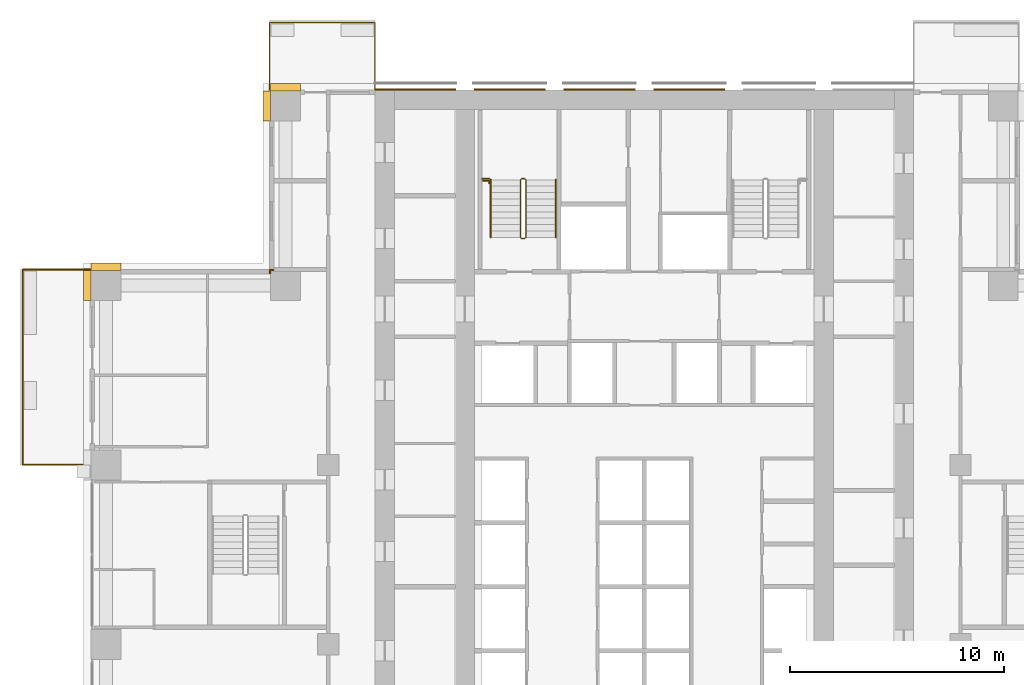
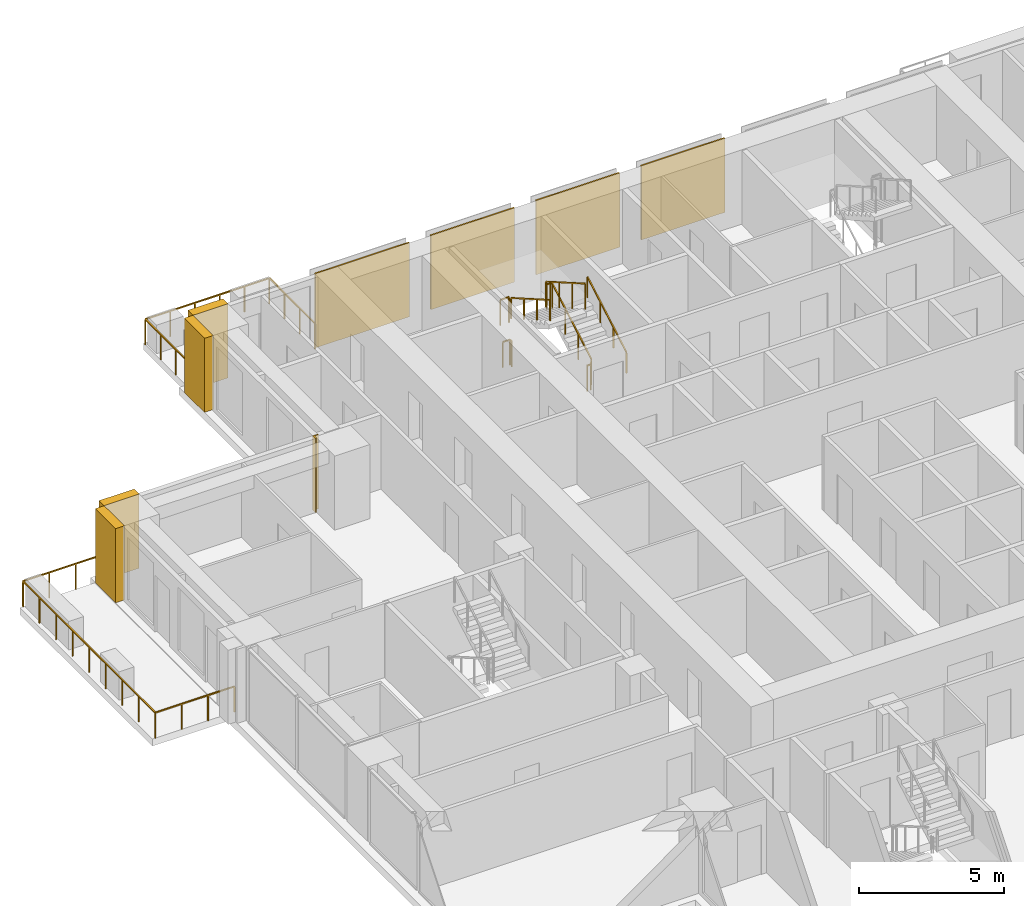
# One storey, part 15 of 16: 9 coverings, 7 railings.
"""IFC4 building model written with IfcOpenShell, lengths in metres."""

from ifc_helpers import new_model, si_unit, direction, frame, origin, origin_2d, place, context, subcontext, project, spatial, polyline, rectangle, outline, extrude, material, type_object, element, save


model = new_model("IFC4")

# Units and contexts
model_context = context("Model", 3, precision=1e-05, world=origin(), true_north=direction((0.0, 1.0)))
body_context = subcontext(model_context, "Body", "Model", "MODEL_VIEW")
ifc_project = project(units=[si_unit("LENGTHUNIT", "METRE"), si_unit("AREAUNIT", "SQUARE_METRE"), si_unit("VOLUMEUNIT", "CUBIC_METRE"), si_unit("PLANEANGLEUNIT", "RADIAN"), si_unit("MASSUNIT", "GRAM", prefix="KILO")], contexts=[model_context])

# Site, building, storey
site_placement = place(None, origin())
site = spatial("IfcSite", under=ifc_project, at=site_placement, CompositionType="ELEMENT")
building_placement = place(site_placement, origin())
building = spatial("IfcBuilding", under=site, at=building_placement, Name="Vermilion Ogive Tower", CompositionType="ELEMENT")
storey_placement = place(building_placement, frame((0.0, 0.0, 44.85009765625)))
storey = spatial("IfcBuildingStorey", under=building, at=storey_placement, Name="L09", CompositionType="ELEMENT", Elevation=44.85009765625)

# Railings
ifc_material_1 = material(Name="Stainless steel and glass", Category="steel")
railing_type_1 = type_object("IfcRailingType", Name="Balcony guard", PredefinedType="GUARDRAIL", material=ifc_material_1)
railing_1_placement = place(storey_placement, frame((-12.60009765625, 21.75, -0.0400390625)))
element("IfcRailing", 1, at=railing_1_placement, inside=storey, type_object=railing_type_1, Name="Guard N201", PredefinedType="GUARDRAIL", context=body_context, shape_type="SweptSolid", body=[
    extrude(rectangle(XDim=0.048095703125, YDim=0.048095703125, at=origin_2d()), frame((0.0, 0.0, 1.076171875), z_axis=(0.0, 1.0, 0.0), x_axis=(-1.0, 0.0, 0.0)), (0.0, 0.0, 1.0), 3.159912109375),
    extrude(rectangle(XDim=0.048095703125, YDim=0.048095703125, at=origin_2d()), frame((0.0, 3.159912109375, 1.076171875), z_axis=(-1.0, 0.0, 0.0), x_axis=(0.0, -1.0, 0.0)), (0.0, 0.0, 1.0), 4.949951171875),
    extrude(rectangle(XDim=0.048095703125, YDim=0.048095703125, at=origin_2d()), frame((-4.949951171875, 3.159912109375, 1.076171875), z_axis=(0.0, -1.0, 0.0), x_axis=(1.0, 0.0, 0.0)), (0.0, 0.0, 1.0), 3.159912109375),
    extrude(rectangle(XDim=0.0419921875, YDim=0.0419921875, at=origin_2d()), origin(), (0.0, 0.0, 1.0), 1.052001953125),
    extrude(rectangle(XDim=0.0419921875, YDim=0.0419921875, at=origin_2d()), frame((0.0, 1.05322265625, 0.0)), (0.0, 0.0, 1.0), 1.052001953125),
    extrude(rectangle(XDim=0.0419921875, YDim=0.0419921875, at=origin_2d()), frame((0.0, 2.106689453125, 0.0)), (0.0, 0.0, 1.0), 1.052001953125),
    extrude(rectangle(XDim=0.0419921875, YDim=0.0419921875, at=origin_2d()), frame((0.0, 3.159912109375, 0.0)), (0.0, 0.0, 1.0), 1.052001953125),
    extrude(rectangle(XDim=0.0419921875, YDim=0.0419921875, at=origin_2d()), frame((-0.989990234375, 3.159912109375, 0.0)), (0.0, 0.0, 1.0), 1.052001953125),
    extrude(rectangle(XDim=0.0419921875, YDim=0.0419921875, at=origin_2d()), frame((-1.97998046875, 3.159912109375, 0.0)), (0.0, 0.0, 1.0), 1.052001953125),
    extrude(rectangle(XDim=0.0419921875, YDim=0.0419921875, at=origin_2d()), frame((-2.969970703125, 3.159912109375, 0.0)), (0.0, 0.0, 1.0), 1.052001953125),
    extrude(rectangle(XDim=0.0419921875, YDim=0.0419921875, at=origin_2d()), frame((-3.9599609375, 3.159912109375, 0.0)), (0.0, 0.0, 1.0), 1.052001953125),
    extrude(rectangle(XDim=0.0419921875, YDim=0.0419921875, at=origin_2d()), frame((-4.949951171875, 3.159912109375, 0.0)), (0.0, 0.0, 1.0), 1.052001953125),
    extrude(rectangle(XDim=0.0419921875, YDim=0.0419921875, at=origin_2d()), frame((-4.949951171875, 2.106689453125, 0.0)), (0.0, 0.0, 1.0), 1.052001953125),
    extrude(rectangle(XDim=0.0419921875, YDim=0.0419921875, at=origin_2d()), frame((-4.949951171875, 1.05322265625, 0.0)), (0.0, 0.0, 1.0), 1.052001953125),
    extrude(rectangle(XDim=0.0419921875, YDim=0.0419921875, at=origin_2d()), frame((-4.949951171875, 0.0, 0.0)), (0.0, 0.0, 1.0), 1.052001953125),
])
railing_2_placement = place(storey_placement, frame((-25.949951171875, 13.35009765625, -0.0400390625)))
element("IfcRailing", 2, at=railing_2_placement, inside=storey, type_object=railing_type_1, Name="Guard W01", PredefinedType="GUARDRAIL", context=body_context, shape_type="SweptSolid", body=[
    extrude(rectangle(XDim=0.048095703125, YDim=0.048095703125, at=origin_2d()), frame((0.0, 0.0, 1.076171875), z_axis=(-1.0, 0.0, 0.0), x_axis=(0.0, -1.0, 0.0)), (0.0, 0.0, 1.0), 3.16015625),
    extrude(rectangle(XDim=0.048095703125, YDim=0.048095703125, at=origin_2d()), frame((-3.16015625, 0.0, 1.076171875), z_axis=(0.0, -1.0, 0.0), x_axis=(1.0, 0.0, 0.0)), (0.0, 0.0, 1.0), 9.150146484375),
    extrude(rectangle(XDim=0.048095703125, YDim=0.048095703125, at=origin_2d()), frame((-3.16015625, -9.150146484375, 1.076171875), z_axis=(1.0, 0.0, 0.0), x_axis=(0.0, 1.0, 0.0)), (0.0, 0.0, 1.0), 3.16015625),
    extrude(rectangle(XDim=0.0419921875, YDim=0.0419921875, at=origin_2d()), origin(), (0.0, 0.0, 1.0), 1.052001953125),
    extrude(rectangle(XDim=0.0419921875, YDim=0.0419921875, at=origin_2d()), frame((-1.053466796875, 0.0, 0.0)), (0.0, 0.0, 1.0), 1.052001953125),
    extrude(rectangle(XDim=0.0419921875, YDim=0.0419921875, at=origin_2d()), frame((-2.106689453125, 0.0, 0.0)), (0.0, 0.0, 1.0), 1.052001953125),
    extrude(rectangle(XDim=0.0419921875, YDim=0.0419921875, at=origin_2d()), frame((-3.16015625, 0.0, 0.0)), (0.0, 0.0, 1.0), 1.052001953125),
    extrude(rectangle(XDim=0.0419921875, YDim=0.0419921875, at=origin_2d()), frame((-3.16015625, -1.143798828125, 0.0)), (0.0, 0.0, 1.0), 1.052001953125),
    extrude(rectangle(XDim=0.0419921875, YDim=0.0419921875, at=origin_2d()), frame((-3.16015625, -2.28759765625, 0.0)), (0.0, 0.0, 1.0), 1.052001953125),
    extrude(rectangle(XDim=0.0419921875, YDim=0.0419921875, at=origin_2d()), frame((-3.16015625, -3.431396484375, 0.0)), (0.0, 0.0, 1.0), 1.052001953125),
    extrude(rectangle(XDim=0.0419921875, YDim=0.0419921875, at=origin_2d()), frame((-3.16015625, -4.5751953125, 0.0)), (0.0, 0.0, 1.0), 1.052001953125),
    extrude(rectangle(XDim=0.0419921875, YDim=0.0419921875, at=origin_2d()), frame((-3.16015625, -5.71875, 0.0)), (0.0, 0.0, 1.0), 1.052001953125),
    extrude(rectangle(XDim=0.0419921875, YDim=0.0419921875, at=origin_2d()), frame((-3.16015625, -6.862548828125, 0.0)), (0.0, 0.0, 1.0), 1.052001953125),
    extrude(rectangle(XDim=0.0419921875, YDim=0.0419921875, at=origin_2d()), frame((-3.16015625, -8.00634765625, 0.0)), (0.0, 0.0, 1.0), 1.052001953125),
    extrude(rectangle(XDim=0.0419921875, YDim=0.0419921875, at=origin_2d()), frame((-3.16015625, -9.150146484375, 0.0)), (0.0, 0.0, 1.0), 1.052001953125),
    extrude(rectangle(XDim=0.0419921875, YDim=0.0419921875, at=origin_2d()), frame((-2.106689453125, -9.150146484375, 0.0)), (0.0, 0.0, 1.0), 1.052001953125),
    extrude(rectangle(XDim=0.0419921875, YDim=0.0419921875, at=origin_2d()), frame((-1.053466796875, -9.150146484375, 0.0)), (0.0, 0.0, 1.0), 1.052001953125),
    extrude(rectangle(XDim=0.0419921875, YDim=0.0419921875, at=origin_2d()), frame((0.0, -9.150146484375, 0.0)), (0.0, 0.0, 1.0), 1.052001953125),
])
ifc_material_2 = material(Name="Steel S355 painted", Category="steel")
railing_type_2 = type_object("IfcRailingType", Name="Stair guard 1100", PredefinedType="GUARDRAIL", material=ifc_material_2)
railing_3_placement = place(storey_placement, frame((-5.75, 14.800048828125, 0.0)))
element("IfcRailing", 3, at=railing_3_placement, inside=storey, type_object=railing_type_2, Name="L09 ST1 stair guard 4", PredefinedType="GUARDRAIL", context=body_context, shape_type="SweptSolid", body=[
    extrude(rectangle(XDim=0.048095703125, YDim=0.048095703125, at=origin_2d()), frame((0.0, 0.0, 1.076171875), z_axis=(1.0, 0.0, 0.0), x_axis=(0.0, 1.0, 0.0)), (0.0, 0.0, 1.0), 0.14990234375),
    extrude(rectangle(XDim=0.048095703125, YDim=0.048095703125, at=origin_2d()), frame((0.14990234375, 0.0, 1.076171875), z_axis=(0.268603158521, 0.268603158521, 0.925043072762), x_axis=(-0.707106781187, 0.707106781187, 0.0)), (0.0, 0.0, 1.0), 0.186279296875),
    extrude(rectangle(XDim=0.048095703125, YDim=0.048095703125, at=origin_2d()), frame((0.199951171875, 0.050048828125, 1.24853515625), z_axis=(0.0, 0.866903762492, 0.498475542607), x_axis=(-1.0, 0.0, 0.0)), (0.0, 0.0, 1.0), 3.114501953125),
    extrude(rectangle(XDim=0.048095703125, YDim=0.048095703125, at=origin_2d()), frame((0.199951171875, 2.75, 2.80078125), z_axis=(-0.707106781187, 0.707106781187, 0.0), x_axis=(-0.707106781187, -0.707106781187, 0.0)), (0.0, 0.0, 1.0), 0.07080078125),
    extrude(rectangle(XDim=0.048095703125, YDim=0.048095703125, at=origin_2d()), frame((0.14990234375, 2.800048828125, 2.80078125), z_axis=(-1.0, 0.0, 0.0), x_axis=(0.0, -1.0, 0.0)), (0.0, 0.0, 1.0), 0.14990234375),
    extrude(rectangle(XDim=0.048095703125, YDim=0.048095703125, at=origin_2d()), frame((0.0, 2.800048828125, 2.80078125), z_axis=(-0.268277960024, -0.268277960024, 0.925231793839), x_axis=(0.707106781187, -0.707106781187, 0.0)), (0.0, 0.0, 1.0), 0.1865234375),
    extrude(rectangle(XDim=0.048095703125, YDim=0.048095703125, at=origin_2d()), frame((-0.050048828125, 2.75, 2.9736328125), z_axis=(0.0, -0.866903762492, 0.498475542607), x_axis=(1.0, 0.0, 0.0)), (0.0, 0.0, 1.0), 3.114501953125),
    extrude(rectangle(XDim=0.0419921875, YDim=0.0419921875, at=origin_2d()), origin(), (0.0, 0.0, 1.0), 1.052001953125),
    extrude(rectangle(XDim=0.0419921875, YDim=0.0419921875, at=origin_2d()), frame((0.14990234375, 0.0, 0.0)), (0.0, 0.0, 1.0), 1.052001953125),
    extrude(rectangle(XDim=0.0419921875, YDim=0.0419921875, at=origin_2d()), frame((0.199951171875, 0.050048828125, 0.17236328125)), (0.0, 0.0, 1.0), 1.052001953125),
    extrude(rectangle(XDim=0.0419921875, YDim=0.0419921875, at=origin_2d()), frame((0.199951171875, 0.949951171875, 0.68994140625)), (0.0, 0.0, 1.0), 1.052001953125),
    extrude(rectangle(XDim=0.0419921875, YDim=0.0419921875, at=origin_2d()), frame((0.199951171875, 1.85009765625, 1.207275390625)), (0.0, 0.0, 1.0), 1.052001953125),
    extrude(rectangle(XDim=0.0419921875, YDim=0.0419921875, at=origin_2d()), frame((0.199951171875, 2.75, 1.724853515625)), (0.0, 0.0, 1.0), 1.052001953125),
    extrude(rectangle(XDim=0.0419921875, YDim=0.0419921875, at=origin_2d()), frame((0.14990234375, 2.800048828125, 1.724853515625)), (0.0, 0.0, 1.0), 1.052001953125),
    extrude(rectangle(XDim=0.0419921875, YDim=0.0419921875, at=origin_2d()), frame((0.0, 2.800048828125, 1.724853515625)), (0.0, 0.0, 1.0), 1.052001953125),
    extrude(rectangle(XDim=0.0419921875, YDim=0.0419921875, at=origin_2d()), frame((-0.050048828125, 2.75, 1.8974609375)), (0.0, 0.0, 1.0), 1.052001953125),
    extrude(rectangle(XDim=0.0419921875, YDim=0.0419921875, at=origin_2d()), frame((-0.050048828125, 1.85009765625, 2.4150390625)), (0.0, 0.0, 1.0), 1.052001953125),
    extrude(rectangle(XDim=0.0419921875, YDim=0.0419921875, at=origin_2d()), frame((-0.050048828125, 0.949951171875, 2.932373046875)), (0.0, 0.0, 1.0), 1.052001953125),
    extrude(rectangle(XDim=0.0419921875, YDim=0.0419921875, at=origin_2d()), frame((-0.050048828125, 0.050048828125, 3.449951171875)), (0.0, 0.0, 1.0), 1.052001953125),
])
railing_4_placement = place(storey_placement, frame((-7.60009765625, 17.60009765625, 1.724853515625)))
element("IfcRailing", 4, at=railing_4_placement, inside=storey, type_object=railing_type_2, Name="L09 landing guard", PredefinedType="GUARDRAIL", context=body_context, shape_type="SweptSolid", body=[
    extrude(rectangle(XDim=0.048095703125, YDim=0.048095703125, at=origin_2d()), frame((0.0, 0.0, 1.076171875), z_axis=(1.0, 0.0, 0.0), x_axis=(0.0, 1.0, 0.0)), (0.0, 0.0, 1.0), 0.35009765625),
    extrude(rectangle(XDim=0.0419921875, YDim=0.0419921875, at=origin_2d()), origin(), (0.0, 0.0, 1.0), 1.052001953125),
    extrude(rectangle(XDim=0.0419921875, YDim=0.0419921875, at=origin_2d()), frame((0.35009765625, 0.0, 0.0)), (0.0, 0.0, 1.0), 1.052001953125),
])
railing_5_placement = place(storey_placement, frame((-7.56298828125, 17.49462890625, 0.0)))
element("IfcRailing", 5, at=railing_5_placement, inside=storey, type_object=railing_type_2, Name="L09 stair opening guard", PredefinedType="GUARDRAIL", context=body_context, shape_type="SweptSolid", body=[
    extrude(rectangle(XDim=0.048095703125, YDim=0.048095703125, at=origin_2d()), frame((0.0, 0.0, 1.076171875), z_axis=(1.0, 0.0, 0.0), x_axis=(0.0, 1.0, 0.0)), (0.0, 0.0, 1.0), 0.2900390625),
    extrude(rectangle(XDim=0.048095703125, YDim=0.048095703125, at=origin_2d()), frame((0.2900390625, 0.0, 1.076171875), z_axis=(0.0, -1.0, 0.0), x_axis=(1.0, 0.0, 0.0)), (0.0, 0.0, 1.0), 0.1201171875),
    extrude(rectangle(XDim=0.0419921875, YDim=0.0419921875, at=origin_2d()), origin(), (0.0, 0.0, 1.0), 1.052001953125),
    extrude(rectangle(XDim=0.0419921875, YDim=0.0419921875, at=origin_2d()), frame((0.2900390625, 0.0, 0.0)), (0.0, 0.0, 1.0), 1.052001953125),
    extrude(rectangle(XDim=0.0419921875, YDim=0.0419921875, at=origin_2d()), frame((0.2900390625, -0.1201171875, 0.0)), (0.0, 0.0, 1.0), 1.052001953125),
])
ifc_material_3 = material(Name="Stainless steel", Category="steel")
railing_type_3 = type_object("IfcRailingType", Name="Stair handrail 900", PredefinedType="HANDRAIL", material=ifc_material_3)
railing_6_placement = place(storey_placement, frame((-4.14990234375, 14.85009765625, 0.17236328125)))
element("IfcRailing", 6, at=railing_6_placement, inside=storey, type_object=railing_type_3, Name="L09 ST1 stair handrail 1", PredefinedType="HANDRAIL", context=body_context, shape_type="SweptSolid", body=[
    extrude(rectangle(XDim=0.048095703125, YDim=0.048095703125, at=origin_2d()), frame((0.0, 0.0, 0.8759765625), z_axis=(0.0, 0.866903762492, 0.498475542607), x_axis=(-1.0, 0.0, 0.0)), (0.0, 0.0, 1.0), 3.114501953125),
    extrude(rectangle(XDim=0.0419921875, YDim=0.0419921875, at=origin_2d()), origin(), (0.0, 0.0, 1.0), 0.851806640625),
    extrude(rectangle(XDim=0.0419921875, YDim=0.0419921875, at=origin_2d()), frame((0.0, 0.89990234375, 0.517578125)), (0.0, 0.0, 1.0), 0.851806640625),
    extrude(rectangle(XDim=0.0419921875, YDim=0.0419921875, at=origin_2d()), frame((0.0, 1.800048828125, 1.034912109375)), (0.0, 0.0, 1.0), 0.851806640625),
    extrude(rectangle(XDim=0.0419921875, YDim=0.0419921875, at=origin_2d()), frame((0.0, 2.699951171875, 1.552490234375)), (0.0, 0.0, 1.0), 0.851806640625),
])
railing_7_placement = place(storey_placement, frame((-7.199951171875, 17.550048828125, 1.8974609375)))
element("IfcRailing", 7, at=railing_7_placement, inside=storey, type_object=railing_type_3, Name="L09 ST1 stair handrail 2", PredefinedType="HANDRAIL", context=body_context, shape_type="SweptSolid", body=[
    extrude(rectangle(XDim=0.048095703125, YDim=0.048095703125, at=origin_2d()), frame((0.0, 0.0, 0.8759765625), z_axis=(0.0, -0.866903762492, 0.498475542607), x_axis=(1.0, 0.0, 0.0)), (0.0, 0.0, 1.0), 3.114501953125),
    extrude(rectangle(XDim=0.0419921875, YDim=0.0419921875, at=origin_2d()), origin(), (0.0, 0.0, 1.0), 0.851806640625),
    extrude(rectangle(XDim=0.0419921875, YDim=0.0419921875, at=origin_2d()), frame((0.0, -0.89990234375, 0.517578125)), (0.0, 0.0, 1.0), 0.851806640625),
    extrude(rectangle(XDim=0.0419921875, YDim=0.0419921875, at=origin_2d()), frame((0.0, -1.800048828125, 1.034912109375)), (0.0, 0.0, 1.0), 0.851806640625),
    extrude(rectangle(XDim=0.0419921875, YDim=0.0419921875, at=origin_2d()), frame((0.0, -2.699951171875, 1.552490234375)), (0.0, 0.0, 1.0), 0.851806640625),
])

# Coverings
ifc_material_4 = material(Name="Stone cladding", Category="masonry")
covering_type_1 = type_object("IfcCoveringType", Name="Stone cladding panel", PredefinedType="CLADDING", material=ifc_material_4)
covering_1_placement = place(storey_placement, origin())
element("IfcCovering", 8, at=covering_1_placement, inside=storey, type_object=covering_type_1, Name="Stone cladding panel N1", PredefinedType="CLADDING", context=body_context, shape_type="SweptSolid", body=[
    extrude(outline(polyline([(-12.590087890625, 21.75), (-8.830078125, 21.75), (-8.830078125, 21.81005859375), (-12.590087890625, 21.81005859375), (-12.590087890625, 21.75)])), origin(), (0.0, 0.0, 1.0), 3.1298828125),
])
covering_2_placement = place(storey_placement, origin())
element("IfcCovering", 9, at=covering_2_placement, inside=storey, type_object=covering_type_1, Name="Stone cladding panel N2", PredefinedType="CLADDING", context=body_context, shape_type="SweptSolid", body=[
    extrude(outline(polyline([(-7.969970703125, 21.75), (-4.6298828125, 21.75), (-4.6298828125, 21.81005859375), (-7.969970703125, 21.81005859375), (-7.969970703125, 21.75)])), origin(), (0.0, 0.0, 1.0), 3.1298828125),
])
covering_3_placement = place(storey_placement, origin())
element("IfcCovering", 10, at=covering_3_placement, inside=storey, type_object=covering_type_1, Name="Stone cladding panel N3", PredefinedType="CLADDING", context=body_context, shape_type="SweptSolid", body=[
    extrude(outline(polyline([(-3.77001953125, 21.75), (-0.429931640625, 21.75), (-0.429931640625, 21.81005859375), (-3.77001953125, 21.81005859375), (-3.77001953125, 21.75)])), origin(), (0.0, 0.0, 1.0), 3.1298828125),
])
covering_4_placement = place(storey_placement, origin())
element("IfcCovering", 11, at=covering_4_placement, inside=storey, type_object=covering_type_1, Name="Stone cladding panel N4", PredefinedType="CLADDING", context=body_context, shape_type="SweptSolid", body=[
    extrude(outline(polyline([(0.429931640625, 21.75), (3.77001953125, 21.75), (3.77001953125, 21.81005859375), (0.429931640625, 21.81005859375), (0.429931640625, 21.75)])), origin(), (0.0, 0.0, 1.0), 3.1298828125),
])
ifc_material_5 = material(Name="Stone cladding", Category="masonry")
covering_type_2 = type_object("IfcCoveringType", Name="Stone pier", PredefinedType="CLADDING", material=ifc_material_5)
covering_5_placement = place(storey_placement, origin())
element("IfcCovering", 12, at=covering_5_placement, inside=storey, type_object=covering_type_2, Name="Stone corner pier X5E1", PredefinedType="CLADDING", context=body_context, shape_type="SweptSolid", body=[
    extrude(outline(polyline([(-17.35009765625, 13.300048828125), (-17.5, 13.300048828125), (-17.5, 13.14990234375), (-17.550048828125, 13.14990234375), (-17.550048828125, 13.35009765625), (-17.35009765625, 13.35009765625), (-17.35009765625, 13.300048828125)])), origin(), (0.0, 0.0, 1.0), 3.1298828125),
])
covering_6_placement = place(storey_placement, origin())
element("IfcCovering", 13, at=covering_6_placement, inside=storey, type_object=covering_type_2, Name="Stone pier P-0168+210N2", PredefinedType="CLADDING", context=body_context, shape_type="SweptSolid", body=[
    extrude(outline(polyline([(-17.5, 21.699951171875), (-17.5, 22.050048828125), (-16.10009765625, 22.050048828125), (-16.10009765625, 21.699951171875), (-17.5, 21.699951171875), (-17.5, 21.699951171875)])), origin(), (0.0, 0.0, 1.0), 3.1298828125),
])
covering_7_placement = place(storey_placement, origin())
element("IfcCovering", 14, at=covering_7_placement, inside=storey, type_object=covering_type_2, Name="Stone pier P-0168+210X5", PredefinedType="CLADDING", context=body_context, shape_type="SweptSolid", body=[
    extrude(outline(polyline([(-17.85009765625, 21.699951171875), (-17.5, 21.699951171875), (-17.5, 21.699951171875), (-17.5, 20.300048828125), (-17.85009765625, 20.300048828125), (-17.85009765625, 21.699951171875)])), origin(), (0.0, 0.0, 1.0), 3.1298828125),
])
covering_8_placement = place(storey_placement, origin())
element("IfcCovering", 15, at=covering_8_placement, inside=storey, type_object=covering_type_2, Name="Stone pier P-0252+126X6", PredefinedType="CLADDING", context=body_context, shape_type="SweptSolid", body=[
    extrude(outline(polyline([(-25.89990234375, 13.300048828125), (-25.89990234375, 13.64990234375), (-24.5, 13.64990234375), (-24.5, 13.300048828125), (-24.5, 13.300048828125), (-25.89990234375, 13.300048828125)])), origin(), (0.0, 0.0, 1.0), 3.1298828125),
])
covering_9_placement = place(storey_placement, origin())
element("IfcCovering", 16, at=covering_9_placement, inside=storey, type_object=covering_type_2, Name="Stone pier P-0252+126W", PredefinedType="CLADDING", context=body_context, shape_type="SweptSolid", body=[
    extrude(outline(polyline([(-26.25, 13.300048828125), (-25.89990234375, 13.300048828125), (-25.89990234375, 11.89990234375), (-26.25, 11.89990234375), (-26.25, 13.300048828125)])), origin(), (0.0, 0.0, 1.0), 3.1298828125),
])

save(model, "model.ifc")
